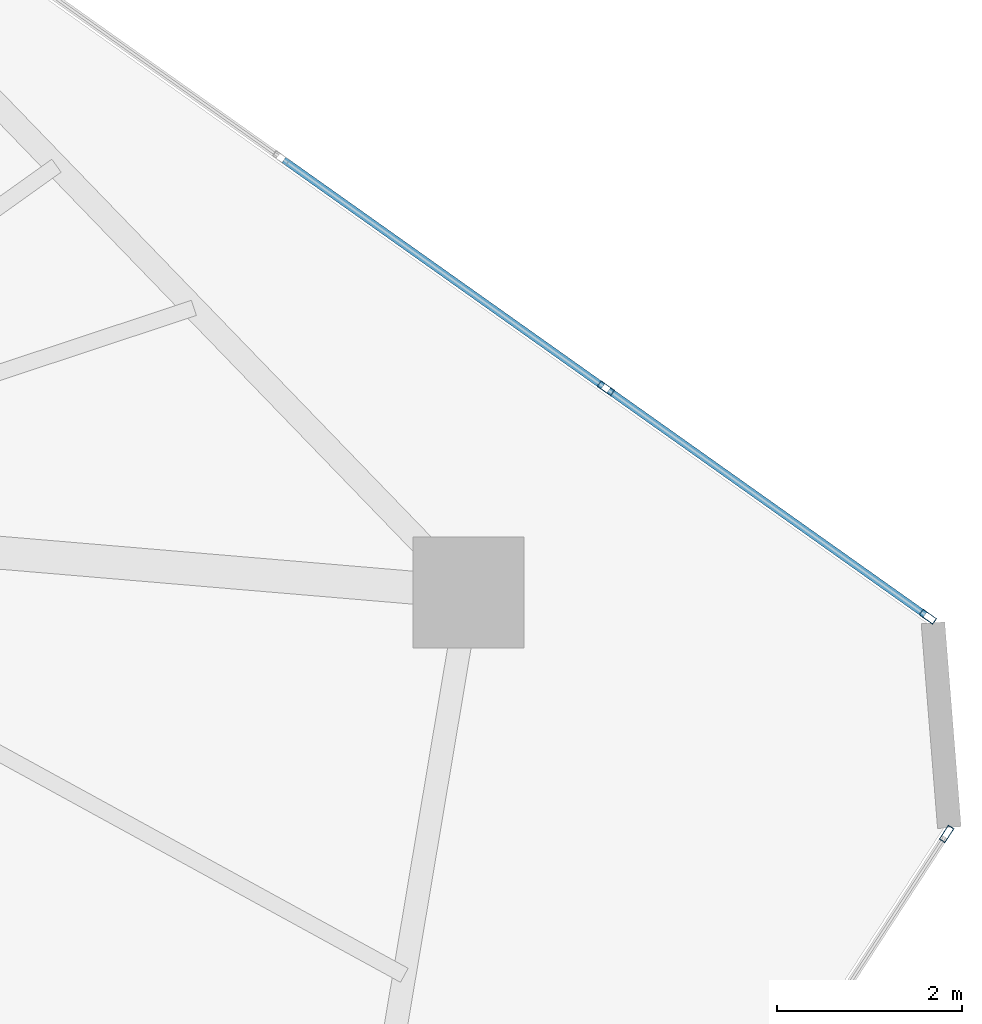
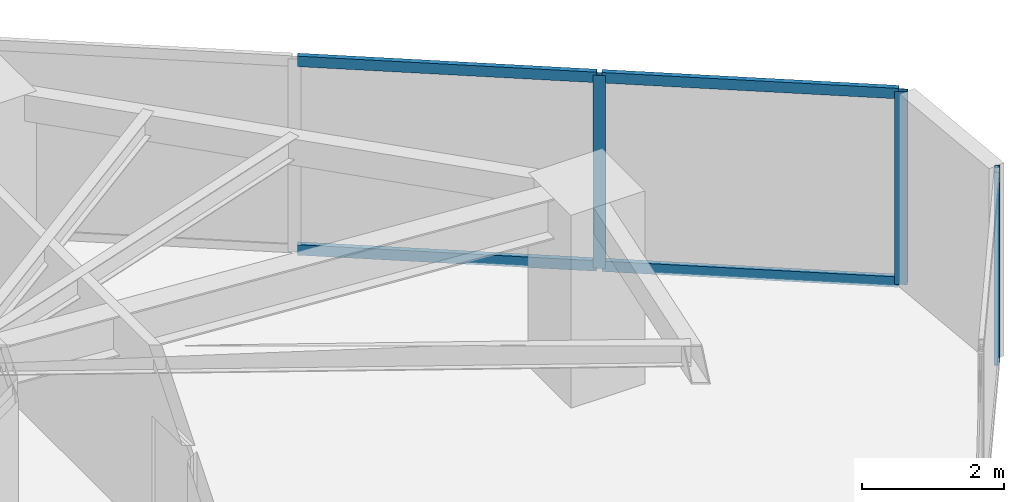
# One storey, part 13 of 21: 7 members, 2 elements without a shape of their own.
"""IFC4 building model written with IfcOpenShell, lengths in metres."""

from ifc_helpers import new_model, si_unit, direction, frame, origin, origin_2d, place, context, subcontext, project, spatial, hollow_rectangle, extrude, source, transform, mapped, material, layer, layer_set, material_profile, profile_set, type_object, type_shapes, element, aggregate, save


model = new_model("IFC4")

# Units and contexts
model_context = context("Model", 3, precision=1e-05, world=origin(), true_north=direction((0.0, 1.0)))
body_context = subcontext(model_context, "Body", "Model", "MODEL_VIEW")
ifc_project = project(units=[si_unit("LENGTHUNIT", "METRE"), si_unit("AREAUNIT", "SQUARE_METRE"), si_unit("VOLUMEUNIT", "CUBIC_METRE"), si_unit("PLANEANGLEUNIT", "RADIAN"), si_unit("MASSUNIT", "GRAM", prefix="KILO")], contexts=[model_context])

# Site, building, storey
site_placement = place(None, origin())
site = spatial("IfcSite", under=ifc_project, at=site_placement, CompositionType="ELEMENT")
building_placement = place(site_placement, origin())
building = spatial("IfcBuilding", under=site, at=building_placement, Name="Talar Marvaseh", CompositionType="ELEMENT")
storey_placement = place(building_placement, frame((0.0, 0.0, 129.0)))
storey = spatial("IfcBuildingStorey", under=building, at=storey_placement, Name="L33", CompositionType="ELEMENT", Elevation=129.0)

# Curtain wall, members
ifc_material = material(Name="Architectural Aluminium", Category="aluminium")
ifc_layer = layer(ifc_material, 0.199951171875)
ifc_layer_set = layer_set([ifc_layer], Name="Architectural Aluminium")
curtain_wall_type = type_object("IfcCurtainWallType", Name="Unitised Acoustic Library Curtain Wall Z2", PredefinedType="NOTDEFINED", material=ifc_layer_set)
curtain_wall_1_placement = place(storey_placement, origin())
curtain_wall_1 = element("IfcCurtainWall", 1, at=curtain_wall_1_placement, inside=storey, type_object=curtain_wall_type, Name="L33 Unitised Acoustic Library Curtain Wall Z2", PredefinedType="NOTDEFINED")
ifc_material_profile_1 = material_profile(ifc_material, hollow_rectangle(XDim=0.074951171875, YDim=0.179931640625, WallThickness=0.0048828125, at=origin_2d()), Name="RHS180x75x5")
ifc_profile_set_1 = profile_set([ifc_material_profile_1], Name="Architectural Aluminium")
member_type_1 = type_object("IfcMemberType", Name="Unitised Curtain Wall Standard Mullion RHS180x75x5", PredefinedType="MULLION", material=ifc_profile_set_1)
shared_shape_1 = source(origin(), body_context, "Body", "SweptSolid", [
    extrude(hollow_rectangle(XDim=0.074951171875, YDim=0.179931640625, WallThickness=0.0048828125, at=origin_2d()), origin(), (0.0, 0.0, 1.0), 3.31005859375),
])
type_shapes(member_type_1, [shared_shape_1])
member_1_placement = place(storey_placement, frame((44.524169921875, 38.277587890625, 0.0), z_axis=(0.0, 0.0, 1.0), x_axis=(0.578517868737, 0.815669709841, 0.0)))
member_1 = element("IfcMember", 2, at=member_1_placement, type_object=member_type_1, Name="CW-Z2 mullion 4", PredefinedType="MULLION", context=body_context, shape_type="MappedRepresentation", body=[
    mapped(shared_shape_1, transform((0.0, 0.0, 0.0), x_axis=(1.0, 0.0, 0.0), y_axis=(0.0, 1.0, 0.0), z_axis=(0.0, 0.0, 1.0), scale=1.0)),
])
member_2_placement = place(storey_placement, frame((47.999267578125, 35.812744140625, 0.0), z_axis=(0.0, 0.0, 1.0), x_axis=(0.578517868737, 0.815669709841, 0.0)))
member_2 = element("IfcMember", 3, at=member_2_placement, type_object=member_type_1, Name="CW-Z2 mullion 5", PredefinedType="MULLION", context=body_context, shape_type="MappedRepresentation", body=[
    mapped(shared_shape_1, transform((0.0, 0.0, 0.0), x_axis=(1.0, 0.0, 0.0), y_axis=(0.0, 1.0, 0.0), z_axis=(0.0, 0.0, 1.0), scale=1.0)),
])

# Curtain wall, member
curtain_wall_2_placement = place(storey_placement, origin())
curtain_wall_2 = element("IfcCurtainWall", 4, at=curtain_wall_2_placement, inside=storey, type_object=curtain_wall_type, Name="L33 Unitised Acoustic Library Curtain Wall Z2", PredefinedType="NOTDEFINED")
member_3_placement = place(storey_placement, frame((48.20166015625, 33.468505859375, 0.0), z_axis=(0.0, 0.0, 1.0), x_axis=(0.838585843215, -0.544769477449, 0.0)))
member_3 = element("IfcMember", 5, at=member_3_placement, type_object=member_type_1, Name="CW-Z2 mullion 1", PredefinedType="MULLION", context=body_context, shape_type="MappedRepresentation", body=[
    mapped(shared_shape_1, transform((0.0, 0.0, 0.0), x_axis=(1.0, 0.0, 0.0), y_axis=(0.0, 1.0, 0.0), z_axis=(0.0, 0.0, 1.0), scale=1.0)),
])
aggregate(curtain_wall_2, [member_3])

# Member
ifc_material_profile_2 = material_profile(ifc_material, hollow_rectangle(XDim=0.074951171875, YDim=0.179931640625, WallThickness=0.0048828125, at=origin_2d()), Name="RHS180x75x5")
ifc_profile_set_2 = profile_set([ifc_material_profile_2], Name="Architectural Aluminium")
member_type_2 = type_object("IfcMemberType", Name="Unitised Curtain Wall Transom RHS180x75x5", PredefinedType="USERDEFINED", material=ifc_profile_set_2)
shared_shape_2 = source(origin(), body_context, "Body", "SweptSolid", [
    extrude(hollow_rectangle(XDim=0.074951171875, YDim=0.179931640625, WallThickness=0.0048828125, at=origin_2d()), origin(), (0.0, 0.0, 1.0), 4.185302734375),
])
member_4_placement = place(storey_placement, frame((44.5546875, 38.255859375, 0.03759765625), z_axis=(0.815656318371, -0.57853674931, 0.0), x_axis=(0.57853674931, 0.815656318371, 0.0)))
member_4 = element("IfcMember", 6, at=member_4_placement, type_object=member_type_2, Name="CW-Z2 transom 4.1", ObjectType="TRANSOM", PredefinedType="USERDEFINED", context=body_context, shape_type="MappedRepresentation", body=[
    mapped(shared_shape_2, transform((0.0, 0.0, 0.0), x_axis=(1.0, 0.0, 0.0), y_axis=(0.0, 1.0, 0.0), z_axis=(0.0, 0.0, 1.0), scale=1.0)),
])

member_5_placement = place(storey_placement, frame((44.5546875, 38.255859375, 3.2724609375), z_axis=(0.815656318371, -0.57853674931, 0.0), x_axis=(0.57853674931, 0.815656318371, 0.0)))
member_5 = element("IfcMember", 7, at=member_5_placement, type_object=member_type_2, Name="CW-Z2 transom 4.2", ObjectType="TRANSOM", PredefinedType="USERDEFINED", context=body_context, shape_type="MappedRepresentation", body=[
    mapped(shared_shape_2, transform((0.0, 0.0, 0.0), x_axis=(1.0, 0.0, 0.0), y_axis=(0.0, 1.0, 0.0), z_axis=(0.0, 0.0, 1.0), scale=1.0)),
])

shared_shape_3 = source(origin(), body_context, "Body", "SweptSolid", [
    extrude(hollow_rectangle(XDim=0.074951171875, YDim=0.179931640625, WallThickness=0.0048828125, at=origin_2d()), origin(), (0.0, 0.0, 1.0), 4.222900390625),
])
type_shapes(member_type_2, [shared_shape_2, shared_shape_3])
member_6_placement = place(storey_placement, frame((41.049072265625, 40.7421875, 0.03759765625), z_axis=(0.815693706613, -0.57848403348, 0.0), x_axis=(0.57848403348, 0.815693706613, 0.0)))
member_6 = element("IfcMember", 8, at=member_6_placement, type_object=member_type_2, Name="CW-Z2 transom 3.1", ObjectType="TRANSOM", PredefinedType="USERDEFINED", context=body_context, shape_type="MappedRepresentation", body=[
    mapped(shared_shape_3, transform((0.0, 0.0, 0.0), x_axis=(1.0, 0.0, 0.0), y_axis=(0.0, 1.0, 0.0), z_axis=(0.0, 0.0, 1.0), scale=1.0)),
])

member_7_placement = place(storey_placement, frame((41.049072265625, 40.7421875, 3.2724609375), z_axis=(0.815693706613, -0.57848403348, 0.0), x_axis=(0.57848403348, 0.815693706613, 0.0)))
member_7 = element("IfcMember", 9, at=member_7_placement, type_object=member_type_2, Name="CW-Z2 transom 3.2", ObjectType="TRANSOM", PredefinedType="USERDEFINED", context=body_context, shape_type="MappedRepresentation", body=[
    mapped(shared_shape_3, transform((0.0, 0.0, 0.0), x_axis=(1.0, 0.0, 0.0), y_axis=(0.0, 1.0, 0.0), z_axis=(0.0, 0.0, 1.0), scale=1.0)),
])

aggregate(curtain_wall_1, [member_1, member_2, member_6, member_7, member_4, member_5])

save(model, "model.ifc")
